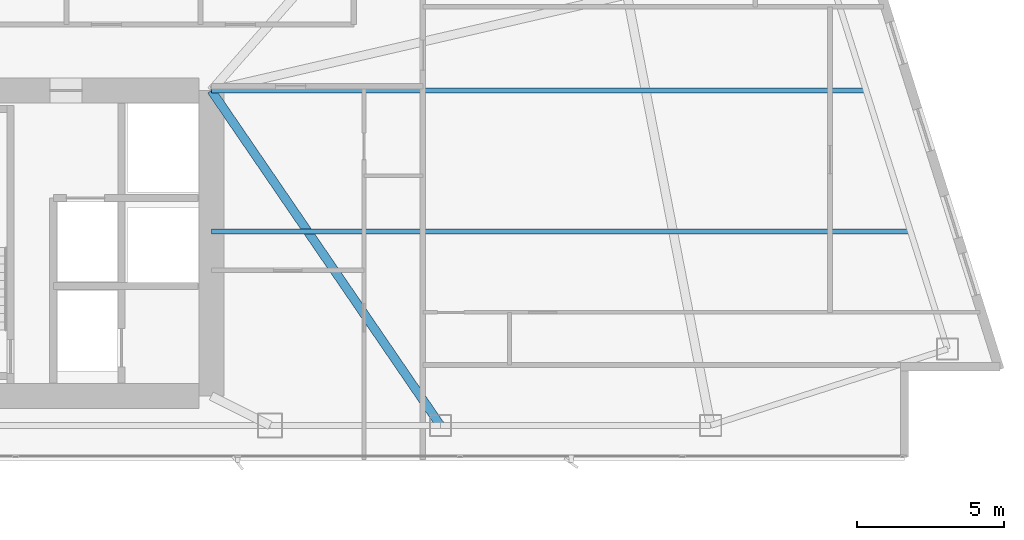
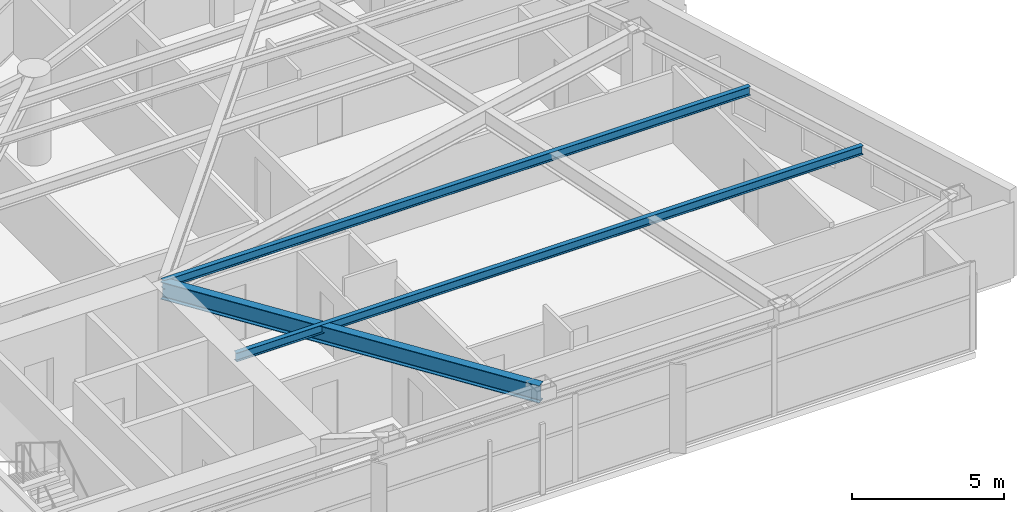
# One storey, part 13 of 28: 3 beams.
"""IFC4 building model written with IfcOpenShell, lengths in metres."""

from ifc_helpers import new_model, si_unit, direction, frame, origin, origin_2d, place, context, subcontext, project, spatial, i_section, extrude, material, material_profile, profile_set, type_object, element, save


model = new_model("IFC4")

# Units and contexts
model_context = context("Model", 3, precision=1e-05, world=origin(), true_north=direction((0.0, 1.0)))
body_context = subcontext(model_context, "Body", "Model", "MODEL_VIEW")
ifc_project = project(units=[si_unit("LENGTHUNIT", "METRE"), si_unit("AREAUNIT", "SQUARE_METRE"), si_unit("VOLUMEUNIT", "CUBIC_METRE"), si_unit("PLANEANGLEUNIT", "RADIAN"), si_unit("MASSUNIT", "GRAM", prefix="KILO")], contexts=[model_context])

# Site, building, storey
site_placement = place(None, origin())
site = spatial("IfcSite", under=ifc_project, at=site_placement, CompositionType="ELEMENT")
building_placement = place(site_placement, origin())
building = spatial("IfcBuilding", under=site, at=building_placement, Name="Calvorn Quay Hotel", CompositionType="ELEMENT")
storey_placement = place(building_placement, frame((0.0, 0.0, 112.60009765625)))
storey = spatial("IfcBuildingStorey", under=building, at=storey_placement, Name="L27", CompositionType="ELEMENT", Elevation=112.60009765625)

# Beams
ifc_material_1 = material(Name="Steel Q390GJC", Category="steel")
ifc_material_profile_1 = material_profile(ifc_material_1, i_section(OverallWidth=0.300048828125, OverallDepth=0.699951171875, WebThickness=0.012939453125, FlangeThickness=0.02392578125, FilletRadius=0.02392578125, at=origin_2d()), Name="HN700x300x13x24")
ifc_profile_set_1 = profile_set([ifc_material_profile_1], Name="Steel Q390GJC")
beam_type_1 = type_object("IfcBeamType", Name="BM-GIRD-MAIN", PredefinedType="BEAM", material=ifc_profile_set_1)
beam_1_placement = place(storey_placement, frame((40.199951171875, 3.60009765625, 3.18994140625), z_axis=(-0.564689618177, 0.825303359452, 0.0), x_axis=(-0.825303359452, -0.564689618177, 0.0)))
element("IfcBeam", 1, at=beam_1_placement, inside=storey, type_object=beam_type_1, Name="Beam BG-L27-E6", PredefinedType="BEAM", context=body_context, shape_type="SweptSolid", body=[
    extrude(i_section(OverallWidth=0.300048828125, OverallDepth=0.699951171875, WebThickness=0.012939453125, FlangeThickness=0.02392578125, FilletRadius=0.02392578125, at=origin_2d()), origin(), (0.0, 0.0, 1.0), 13.81298828125),
])
ifc_material_2 = material(Name="Steel Q355B", Category="steel")
ifc_material_profile_2 = material_profile(ifc_material_2, i_section(OverallWidth=0.175048828125, OverallDepth=0.35009765625, WebThickness=0.007080078125, FlangeThickness=0.010986328125, FilletRadius=0.013916015625, at=origin_2d()), Name="HN350x175x7x11")
ifc_profile_set_2 = profile_set([ifc_material_profile_2], Name="Steel Q355B")
beam_type_2 = type_object("IfcBeamType", Name="BM-JOIST-SEC", PredefinedType="JOIST", material=ifc_profile_set_2)
beam_2_placement = place(storey_placement, frame((32.39990234375, 10.199951171875, 3.364990234375), z_axis=(1.0, 0.0, 0.0), x_axis=(0.0, 1.0, 0.0)))
element("IfcBeam", 2, at=beam_2_placement, inside=storey, type_object=beam_type_2, Name="Beam BJ-L27-E1", PredefinedType="JOIST", context=body_context, shape_type="SweptSolid", body=[
    extrude(i_section(OverallWidth=0.175048828125, OverallDepth=0.35009765625, WebThickness=0.007080078125, FlangeThickness=0.010986328125, FilletRadius=0.013916015625, at=origin_2d()), origin(), (0.0, 0.0, 1.0), 23.801025390625),
])
beam_3_placement = place(storey_placement, frame((32.39990234375, 15.0, 3.364990234375), z_axis=(1.0, 0.0, 0.0), x_axis=(0.0, 1.0, 0.0)))
element("IfcBeam", 3, at=beam_3_placement, inside=storey, type_object=beam_type_2, Name="Beam BJ-L27-E2", PredefinedType="JOIST", context=body_context, shape_type="SweptSolid", body=[
    extrude(i_section(OverallWidth=0.175048828125, OverallDepth=0.35009765625, WebThickness=0.007080078125, FlangeThickness=0.010986328125, FilletRadius=0.013916015625, at=origin_2d()), origin(), (0.0, 0.0, 1.0), 22.2880859375),
])

save(model, "model.ifc")
